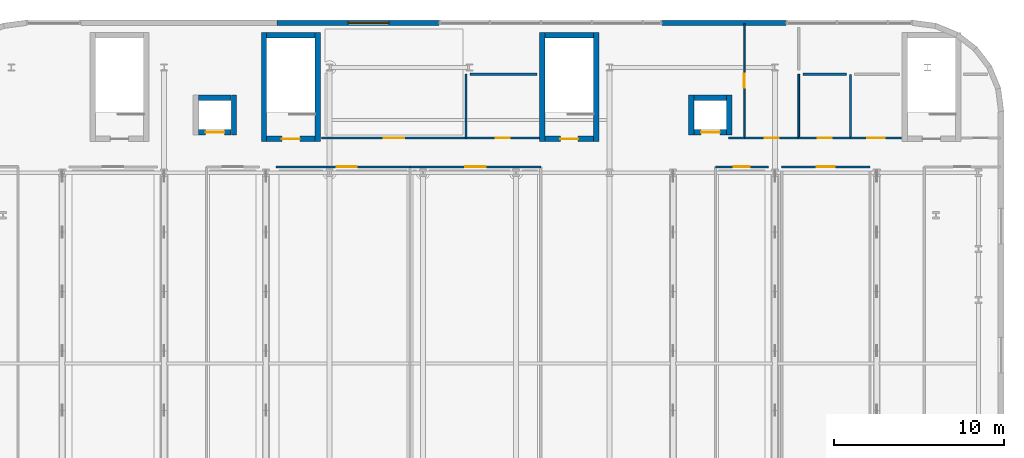
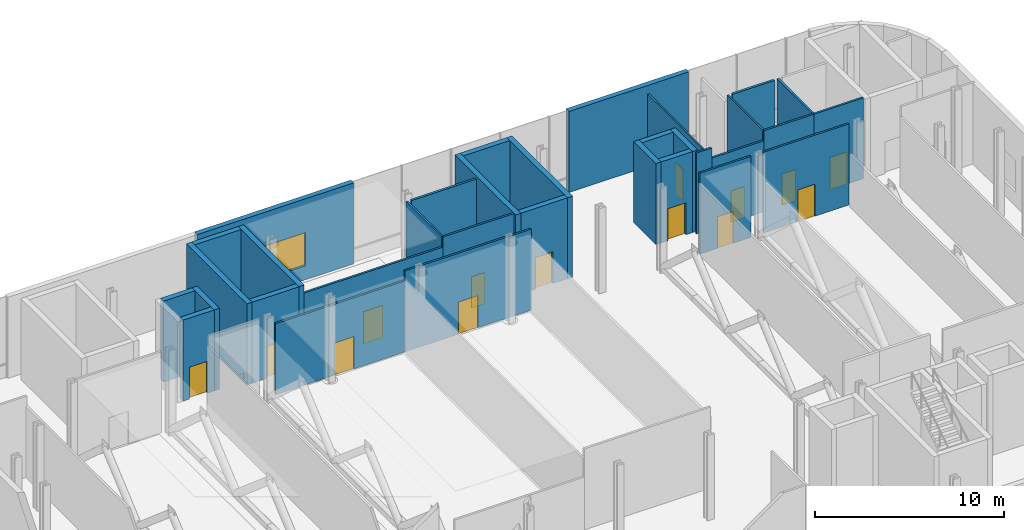
# One storey, part 13 of 17: 33 walls, 14 doors, 1 window, 15 openings.
"""IFC4 building model written with IfcOpenShell, lengths in metres."""

from ifc_helpers import new_model, si_unit, direction, frame, frame_2d, origin, place, context, subcontext, project, spatial, rectangle, extrude, material, layer, layer_set, type_object, element, fill, save


model = new_model("IFC4")

# Units and contexts
model_context = context("Model", 3, precision=1e-05, world=origin(), true_north=direction((0.0, 1.0)))
body_context = subcontext(model_context, "Body", "Model", "MODEL_VIEW")
ifc_project = project(units=[si_unit("LENGTHUNIT", "METRE"), si_unit("AREAUNIT", "SQUARE_METRE"), si_unit("VOLUMEUNIT", "CUBIC_METRE"), si_unit("PLANEANGLEUNIT", "RADIAN"), si_unit("MASSUNIT", "GRAM", prefix="KILO")], contexts=[model_context])

# Site, building, storey
site_placement = place(None, origin())
site = spatial("IfcSite", under=ifc_project, at=site_placement, CompositionType="ELEMENT")
building_placement = place(site_placement, origin())
building = spatial("IfcBuilding", under=site, at=building_placement, Name="Brevholm Reach", CompositionType="ELEMENT")
storey_placement = place(building_placement, frame((0.0, 0.0, 22.5)))
storey = spatial("IfcBuildingStorey", under=building, at=storey_placement, Name="L05", CompositionType="ELEMENT", Elevation=22.5)

# Walls
ifc_material_1 = material(Name="Concrete C60/75", Category="concrete")
ifc_layer_1 = layer(ifc_material_1, 0.320068359375)
ifc_layer_set_1 = layer_set([ifc_layer_1], Name="Concrete C60/75")
wall_type_1 = type_object("IfcWallType", Name="WAL-COR-320", PredefinedType="SHEAR", material=ifc_layer_set_1)
for number, where, z_axis, x_axis, name in (
    (1, (17.889892578125, 32.830078125, 0.0), (0.0, 0.0, 1.0), (0.0, 1.0, 0.0), "L05 Escape Stair ST-S2 Core Wall W"),
    (2, (21.06005859375, 32.830078125, 0.0), (0.0, 0.0, 1.0), (0.0, 1.0, 0.0), "L05 Escape Stair ST-S2 Core Wall E"),
):
    element("IfcWall", number, at=place(storey_placement, frame(where, z_axis=z_axis, x_axis=x_axis)), inside=storey, type_object=wall_type_1, Name=name, PredefinedType="SHEAR", context=body_context, shape_type="SweptSolid", body=[
        extrude(rectangle(XDim=6.419921875, YDim=0.320068359375, at=frame_2d((3.2099609375, 0.0))), origin(), (0.0, 0.0, 1.0), 5.22998046875),
    ])

# Wall, opening, door
wall_1_placement = place(storey_placement, frame((18.050048828125, 32.989990234375, 0.0), z_axis=(0.0, 0.0, 1.0), x_axis=(1.0, 0.0, 0.0)))
wall_1 = element("IfcWall", 3, at=wall_1_placement, inside=storey, type_object=wall_type_1, Name="L05 Escape Stair ST-S2 Core Wall S", PredefinedType="SHEAR", context=body_context, shape_type="SweptSolid", body=[
    extrude(rectangle(XDim=2.849853515625, YDim=0.320068359375, at=frame_2d((1.4248046875, 0.0))), origin(), (0.0, 0.0, 1.0), 5.22998046875),
])
opening_1_placement = place(wall_1_placement, frame((0.89990234375, 0.0, 0.0)))
opening_1 = element("IfcOpeningElement", 4, at=opening_1_placement, cuts=wall_1, Name="Opening SD-ST-S2", PredefinedType="OPENING", context=body_context, shape_type="SweptSolid", body=[
    extrude(rectangle(XDim=1.050048828125, YDim=2.06005859375, at=frame_2d((0.52490234375, 1.030029296875))), frame((0.0, 0.169921875, 0.0), z_axis=(0.0, -1.0, 0.0), x_axis=(1.0, 0.0, 0.0)), (0.0, 0.0, 1.0), 0.340087890625),
])
ifc_material_2 = material(Name="Hardwood-Lipped Steel-Core Fire and Smoke Door", Category="steel")
door_type_1 = type_object("IfcDoorType", Name="DOR-INT-FD60S", OperationType="NOTDEFINED", PredefinedType="DOOR", material=ifc_material_2)
door_1_placement = place(opening_1_placement, origin())
door_1 = element("IfcDoor", 5, at=door_1_placement, inside=storey, type_object=door_type_1, Name="L05 Protected Stair ST-S2 Lobby Door", OperationType="SINGLE_SWING_RIGHT", OverallHeight=2.06005859375, OverallWidth=1.050048828125, PredefinedType="DOOR", context=body_context, shape_type="SweptSolid", body=[
    extrude(rectangle(XDim=1.050048828125, YDim=2.06005859375, at=frame_2d((0.52490234375, 1.030029296875))), frame((0.0, 0.02490234375, 0.0), z_axis=(0.0, -1.0, 0.0), x_axis=(1.0, 0.0, 0.0)), (0.0, 0.0, 1.0), 0.050048828125),
])
fill(opening_1, door_1)

# Walls
wall_2_placement = place(storey_placement, frame((20.89990234375, 39.090087890625, 0.0), z_axis=(0.0, 0.0, 1.0), x_axis=(-1.0, 0.0, 0.0)))
element("IfcWall", 6, at=wall_2_placement, inside=storey, type_object=wall_type_1, Name="L05 Escape Stair ST-S2 Core Wall N", PredefinedType="SHEAR", context=body_context, shape_type="SweptSolid", body=[
    extrude(rectangle(XDim=2.849853515625, YDim=0.320068359375, at=frame_2d((1.4248046875, 0.0))), origin(), (0.0, 0.0, 1.0), 5.22998046875),
])
for number, where, z_axis, x_axis, name in (
    (7, (34.2900390625, 32.830078125, 0.0), (0.0, 0.0, 1.0), (0.0, 1.0, 0.0), "L05 Escape Stair ST-S3 Core Wall W"),
    (8, (37.4599609375, 32.830078125, 0.0), (0.0, 0.0, 1.0), (0.0, 1.0, 0.0), "L05 Escape Stair ST-S3 Core Wall E"),
):
    element("IfcWall", number, at=place(storey_placement, frame(where, z_axis=z_axis, x_axis=x_axis)), inside=storey, type_object=wall_type_1, Name=name, PredefinedType="SHEAR", context=body_context, shape_type="SweptSolid", body=[
        extrude(rectangle(XDim=6.419921875, YDim=0.320068359375, at=frame_2d((3.2099609375, 0.0))), origin(), (0.0, 0.0, 1.0), 5.22998046875),
    ])

# Wall, opening, door
wall_3_placement = place(storey_placement, frame((34.449951171875, 32.989990234375, 0.0), z_axis=(0.0, 0.0, 1.0), x_axis=(1.0, 0.0, 0.0)))
wall_3 = element("IfcWall", 9, at=wall_3_placement, inside=storey, type_object=wall_type_1, Name="L05 Escape Stair ST-S3 Core Wall S", PredefinedType="SHEAR", context=body_context, shape_type="SweptSolid", body=[
    extrude(rectangle(XDim=2.85009765625, YDim=0.320068359375, at=frame_2d((1.425048828125, 0.0))), origin(), (0.0, 0.0, 1.0), 5.22998046875),
])
opening_2_placement = place(wall_3_placement, frame((0.89990234375, 0.0, 0.0)))
opening_2 = element("IfcOpeningElement", 10, at=opening_2_placement, cuts=wall_3, Name="Opening SD-ST-S3", PredefinedType="OPENING", context=body_context, shape_type="SweptSolid", body=[
    extrude(rectangle(XDim=1.050048828125, YDim=2.06005859375, at=frame_2d((0.52490234375, 1.030029296875))), frame((0.0, 0.169921875, 0.0), z_axis=(0.0, -1.0, 0.0), x_axis=(1.0, 0.0, 0.0)), (0.0, 0.0, 1.0), 0.340087890625),
])
door_2_placement = place(opening_2_placement, origin())
door_2 = element("IfcDoor", 11, at=door_2_placement, inside=storey, type_object=door_type_1, Name="L05 Protected Stair ST-S3 Lobby Door", OperationType="SINGLE_SWING_RIGHT", OverallHeight=2.06005859375, OverallWidth=1.050048828125, PredefinedType="DOOR", context=body_context, shape_type="SweptSolid", body=[
    extrude(rectangle(XDim=1.050048828125, YDim=2.06005859375, at=frame_2d((0.52490234375, 1.030029296875))), frame((0.0, 0.02490234375, 0.0), z_axis=(0.0, -1.0, 0.0), x_axis=(1.0, 0.0, 0.0)), (0.0, 0.0, 1.0), 0.050048828125),
])
fill(opening_2, door_2)

# Walls
wall_4_placement = place(storey_placement, frame((37.300048828125, 39.090087890625, 0.0), z_axis=(0.0, 0.0, 1.0), x_axis=(-1.0, 0.0, 0.0)))
element("IfcWall", 12, at=wall_4_placement, inside=storey, type_object=wall_type_1, Name="L05 Escape Stair ST-S3 Core Wall N", PredefinedType="SHEAR", context=body_context, shape_type="SweptSolid", body=[
    extrude(rectangle(XDim=2.85009765625, YDim=0.320068359375, at=frame_2d((1.425048828125, 0.0))), origin(), (0.0, 0.0, 1.0), 5.22998046875),
])
wall_5_placement = place(storey_placement, frame((16.1201171875, 33.219970703125, 0.0), z_axis=(0.0, 0.0, 1.0), x_axis=(0.0, 1.0, 0.0)))
element("IfcWall", 13, at=wall_5_placement, inside=storey, type_object=wall_type_1, Name="L05 Lift SL-1 Shaft Wall E", PredefinedType="SHEAR", context=body_context, shape_type="SweptSolid", body=[
    extrude(rectangle(XDim=2.360107421875, YDim=0.320068359375, at=frame_2d((1.18017578125, 0.0))), origin(), (0.0, 0.0, 1.0), 5.22998046875),
])

# Wall, opening, door
wall_6_placement = place(storey_placement, frame((14.0400390625, 33.3798828125, 0.0), z_axis=(0.0, 0.0, 1.0), x_axis=(1.0, 0.0, 0.0)))
wall_6 = element("IfcWall", 14, at=wall_6_placement, inside=storey, type_object=wall_type_1, Name="L05 Lift SL-1 Shaft Wall S", PredefinedType="SHEAR", context=body_context, shape_type="SweptSolid", body=[
    extrude(rectangle(XDim=1.919921875, YDim=0.320068359375, at=frame_2d((0.9599609375, 0.0))), origin(), (0.0, 0.0, 1.0), 5.22998046875),
])
opening_3_placement = place(wall_6_placement, frame((0.409912109375, 0.0, 0.0)))
opening_3 = element("IfcOpeningElement", 15, at=opening_3_placement, cuts=wall_6, Name="Opening LD-SL-1", PredefinedType="OPENING", context=body_context, shape_type="SweptSolid", body=[
    extrude(rectangle(XDim=1.10009765625, YDim=2.06005859375, at=frame_2d((0.550048828125, 1.030029296875))), frame((0.0, 0.169921875, 0.0), z_axis=(0.0, -1.0, 0.0), x_axis=(1.0, 0.0, 0.0)), (0.0, 0.0, 1.0), 0.340087890625),
])
ifc_material_3 = material(Name="Brushed Stainless Steel Fire-Rated Sliding Lift Door", Category="steel")
door_type_2 = type_object("IfcDoorType", Name="DOR-LFT-1100", OperationType="NOTDEFINED", PredefinedType="DOOR", material=ifc_material_3)
door_3_placement = place(opening_3_placement, origin())
door_3 = element("IfcDoor", 16, at=door_3_placement, inside=storey, type_object=door_type_2, Name="L05 Lift SL-1 Sliding Landing Door", OperationType="SLIDING_TO_LEFT", OverallHeight=2.06005859375, OverallWidth=1.10009765625, PredefinedType="DOOR", context=body_context, shape_type="SweptSolid", body=[
    extrude(rectangle(XDim=1.10009765625, YDim=2.06005859375, at=frame_2d((0.550048828125, 1.030029296875))), frame((0.0, 0.02490234375, 0.0), z_axis=(0.0, -1.0, 0.0), x_axis=(1.0, 0.0, 0.0)), (0.0, 0.0, 1.0), 0.050048828125),
])
fill(opening_3, door_3)

# Walls
wall_7_placement = place(storey_placement, frame((14.0400390625, 35.419921875, 0.0), z_axis=(0.0, 0.0, 1.0), x_axis=(1.0, 0.0, 0.0)))
element("IfcWall", 17, at=wall_7_placement, inside=storey, type_object=wall_type_1, Name="L05 Lift SL-1 Shaft Wall N", PredefinedType="SHEAR", context=body_context, shape_type="SweptSolid", body=[
    extrude(rectangle(XDim=1.919921875, YDim=0.320068359375, at=frame_2d((0.9599609375, 0.0))), origin(), (0.0, 0.0, 1.0), 5.22998046875),
])
for number, where, z_axis, x_axis, name in (
    (18, (43.080078125, 33.219970703125, 0.0), (0.0, 0.0, 1.0), (0.0, 1.0, 0.0), "L05 Lift SL-2 Shaft Wall W"),
    (19, (45.320068359375, 33.219970703125, 0.0), (0.0, 0.0, 1.0), (0.0, 1.0, 0.0), "L05 Lift SL-2 Shaft Wall E"),
):
    element("IfcWall", number, at=place(storey_placement, frame(where, z_axis=z_axis, x_axis=x_axis)), inside=storey, type_object=wall_type_1, Name=name, PredefinedType="SHEAR", context=body_context, shape_type="SweptSolid", body=[
        extrude(rectangle(XDim=2.360107421875, YDim=0.320068359375, at=frame_2d((1.18017578125, 0.0))), origin(), (0.0, 0.0, 1.0), 5.22998046875),
    ])

# Wall, opening, door
wall_8_placement = place(storey_placement, frame((43.239990234375, 33.3798828125, 0.0), z_axis=(0.0, 0.0, 1.0), x_axis=(1.0, 0.0, 0.0)))
wall_8 = element("IfcWall", 20, at=wall_8_placement, inside=storey, type_object=wall_type_1, Name="L05 Lift SL-2 Shaft Wall S", PredefinedType="SHEAR", context=body_context, shape_type="SweptSolid", body=[
    extrude(rectangle(XDim=1.919921875, YDim=0.320068359375, at=frame_2d((0.9599609375, 0.0))), origin(), (0.0, 0.0, 1.0), 5.22998046875),
])
opening_4_placement = place(wall_8_placement, frame((0.409912109375, 0.0, 0.0)))
opening_4 = element("IfcOpeningElement", 21, at=opening_4_placement, cuts=wall_8, Name="Opening LD-SL-2", PredefinedType="OPENING", context=body_context, shape_type="SweptSolid", body=[
    extrude(rectangle(XDim=1.10009765625, YDim=2.06005859375, at=frame_2d((0.550048828125, 1.030029296875))), frame((0.0, 0.169921875, 0.0), z_axis=(0.0, -1.0, 0.0), x_axis=(1.0, 0.0, 0.0)), (0.0, 0.0, 1.0), 0.340087890625),
])
door_4_placement = place(opening_4_placement, origin())
door_4 = element("IfcDoor", 22, at=door_4_placement, inside=storey, type_object=door_type_2, Name="L05 Lift SL-2 Sliding Landing Door", OperationType="SLIDING_TO_RIGHT", OverallHeight=2.06005859375, OverallWidth=1.10009765625, PredefinedType="DOOR", context=body_context, shape_type="SweptSolid", body=[
    extrude(rectangle(XDim=1.10009765625, YDim=2.06005859375, at=frame_2d((0.550048828125, 1.030029296875))), frame((0.0, 0.02490234375, 0.0), z_axis=(0.0, -1.0, 0.0), x_axis=(1.0, 0.0, 0.0)), (0.0, 0.0, 1.0), 0.050048828125),
])
fill(opening_4, door_4)

# Wall
wall_9_placement = place(storey_placement, frame((43.239990234375, 35.419921875, 0.0), z_axis=(0.0, 0.0, 1.0), x_axis=(1.0, 0.0, 0.0)))
element("IfcWall", 23, at=wall_9_placement, inside=storey, type_object=wall_type_1, Name="L05 Lift SL-2 Shaft Wall N", PredefinedType="SHEAR", context=body_context, shape_type="SweptSolid", body=[
    extrude(rectangle(XDim=1.919921875, YDim=0.320068359375, at=frame_2d((0.9599609375, 0.0))), origin(), (0.0, 0.0, 1.0), 5.22998046875),
])

# Wall, opening, window
ifc_material_4 = material(Name="Concrete C40/50", Category="concrete")
ifc_layer_2 = layer(ifc_material_4, 0.300048828125)
ifc_layer_set_2 = layer_set([ifc_layer_2], Name="Concrete C40/50")
wall_type_2 = type_object("IfcWallType", Name="WAL-EXT-300", PredefinedType="STANDARD", material=ifc_layer_set_2)
wall_10_placement = place(storey_placement, frame((18.64990234375, 39.830078125, 0.0), z_axis=(0.0, 0.0, 1.0), x_axis=(1.0, 0.0, 0.0)))
wall_10 = element("IfcWall", 24, at=wall_10_placement, inside=storey, type_object=wall_type_2, Name="L05 Facade Wall WAL-L05-N-ENT", PredefinedType="STANDARD", context=body_context, shape_type="SweptSolid", body=[
    extrude(rectangle(XDim=9.550048828125, YDim=0.300048828125, at=frame_2d((4.77490234375, 0.0))), origin(), (0.0, 0.0, 1.0), 5.22998046875),
])
opening_5_placement = place(wall_10_placement, frame((4.199951171875, 0.0, 0.89990234375)))
opening_5 = element("IfcOpeningElement", 25, at=opening_5_placement, cuts=wall_10, Name="Opening WN-03", PredefinedType="OPENING", context=body_context, shape_type="SweptSolid", body=[
    extrude(rectangle(XDim=2.39990234375, YDim=2.14990234375, at=frame_2d((1.199951171875, 1.074951171875))), frame((0.0, 0.159912109375, 0.0), z_axis=(0.0, -1.0, 0.0), x_axis=(1.0, 0.0, 0.0)), (0.0, 0.0, 1.0), 0.320068359375),
])
ifc_material_5 = material(Name="Dark Anodised Aluminium and Solar-Control IGU Glass", Category="aluminium")
window_type = type_object("IfcWindowType", Name="WIN-SCH-2400", PartitioningType="SINGLE_PANEL", PredefinedType="WINDOW", material=ifc_material_5)
window_placement = place(opening_5_placement, origin())
window = element("IfcWindow", 26, at=window_placement, inside=storey, type_object=window_type, Name="L05 Window WIN-L05-NC-1", OverallHeight=2.14990234375, OverallWidth=2.39990234375, PartitioningType="SINGLE_PANEL", PredefinedType="WINDOW", context=body_context, shape_type="SweptSolid", body=[
    extrude(rectangle(XDim=2.39990234375, YDim=2.14990234375, at=frame_2d((1.199951171875, 1.074951171875))), frame((0.0, 0.030029296875, 0.0), z_axis=(0.0, -1.0, 0.0), x_axis=(1.0, 0.0, 0.0)), (0.0, 0.0, 1.0), 0.06005859375),
])
fill(opening_5, window)

# Walls
wall_11_placement = place(storey_placement, frame((41.35009765625, 39.830078125, 0.0), z_axis=(0.0, 0.0, 1.0), x_axis=(1.0, 0.0, 0.0)))
element("IfcWall", 27, at=wall_11_placement, inside=storey, type_object=wall_type_2, Name="L05 Facade Wall WAL-L05-NPE", PredefinedType="STANDARD", context=body_context, shape_type="SweptSolid", body=[
    extrude(rectangle(XDim=7.2998046875, YDim=0.300048828125, at=frame_2d((3.64990234375, 0.0))), origin(), (0.0, 0.0, 1.0), 5.22998046875),
])
ifc_material_6 = material(Name="Moisture-Resistant Acoustic Gypsum Stud Partition 100 mm", Category="gypsum")
ifc_layer_3 = layer(ifc_material_6, 0.10009765625)
ifc_layer_set_3 = layer_set([ifc_layer_3], Name="Moisture-Resistant Acoustic Gypsum Stud Partition 100 mm")
wall_type_3 = type_object("IfcWallType", Name="WAL-PRT-100", PredefinedType="PARTITIONING", material=ifc_layer_set_3)
wall_12_placement = place(storey_placement, frame((29.800048828125, 33.053955078125, 0.0), z_axis=(0.0, 0.0, 1.0), x_axis=(0.0, 1.0, 0.0)))
element("IfcWall", 28, at=wall_12_placement, inside=storey, type_object=wall_type_3, Name="L05 Internal Partition 028", PredefinedType="PARTITIONING", context=body_context, shape_type="SweptSolid", body=[
    extrude(rectangle(XDim=3.75732421875, YDim=0.10009765625, at=frame_2d((1.878662109375, 0.0))), origin(), (0.0, 0.0, 1.0), 5.22998046875),
])

# Wall, opening, door
wall_13_placement = place(storey_placement, frame((46.199951171875, 33.053955078125, 0.0), z_axis=(0.0, 0.0, 1.0), x_axis=(0.0, 1.0, 0.0)))
wall_13 = element("IfcWall", 29, at=wall_13_placement, inside=storey, type_object=wall_type_3, Name="L05 Internal Partition 029", PredefinedType="PARTITIONING", context=body_context, shape_type="SweptSolid", body=[
    extrude(rectangle(XDim=6.72607421875, YDim=0.10009765625, at=frame_2d((3.363037109375, 0.0))), origin(), (0.0, 0.0, 1.0), 4.66552734375),
])
opening_6_placement = place(wall_13_placement, frame((2.952880859375, 0.0, 0.0)))
opening_6 = element("IfcOpeningElement", 30, at=opening_6_placement, cuts=wall_13, Name="Opening ID-03", PredefinedType="OPENING", context=body_context, shape_type="SweptSolid", body=[
    extrude(rectangle(XDim=0.820068359375, YDim=2.02001953125, at=frame_2d((0.41015625, 1.010009765625))), frame((0.0, 0.06005859375, 0.0), z_axis=(0.0, -1.0, 0.0), x_axis=(1.0, 0.0, 0.0)), (0.0, 0.0, 1.0), 0.1201171875),
])
ifc_material_7 = material(Name="Moisture-Resistant Painted Timber Internal Bathroom Door", Category="wood")
door_type_3 = type_object("IfcDoorType", Name="DOR-BATH-820", OperationType="NOTDEFINED", PredefinedType="DOOR", material=ifc_material_7)
door_5_placement = place(opening_6_placement, origin())
door_5 = element("IfcDoor", 31, at=door_5_placement, inside=storey, type_object=door_type_3, Name="L05 Access Door 021", OperationType="SINGLE_SWING_LEFT", OverallHeight=2.02001953125, OverallWidth=0.820068359375, PredefinedType="DOOR", context=body_context, shape_type="SweptSolid", body=[
    extrude(rectangle(XDim=0.820068359375, YDim=2.02001953125, at=frame_2d((0.41015625, 1.010009765625))), frame((0.0, 0.02490234375, 0.0), z_axis=(0.0, -1.0, 0.0), x_axis=(1.0, 0.0, 0.0)), (0.0, 0.0, 1.0), 0.050048828125),
])
fill(opening_6, door_5)

# Wall
wall_14_placement = place(storey_placement, frame((49.39990234375, 33.053955078125, 0.0), z_axis=(0.0, 0.0, 1.0), x_axis=(0.0, 1.0, 0.0)))
element("IfcWall", 32, at=wall_14_placement, inside=storey, type_object=wall_type_3, Name="L05 Internal Partition 030", PredefinedType="PARTITIONING", context=body_context, shape_type="SweptSolid", body=[
    extrude(rectangle(XDim=3.75732421875, YDim=0.10009765625, at=frame_2d((1.878662109375, 0.0))), origin(), (0.0, 0.0, 1.0), 5.22998046875),
])

# Wall, opening, door
ifc_material_8 = material(Name="Acoustic Fire-Rated Classroom Gypsum Partition 120 mm", Category="gypsum")
ifc_layer_4 = layer(ifc_material_8, 0.1201171875)
ifc_layer_set_4 = layer_set([ifc_layer_4], Name="Acoustic Fire-Rated Classroom Gypsum Partition 120 mm")
wall_type_4 = type_object("IfcWallType", Name="WAL-PRT-120", PredefinedType="PARTITIONING", material=ifc_layer_set_4)
wall_15_placement = place(storey_placement, frame((21.288818359375, 33.050048828125, 0.0), z_axis=(0.0, 0.0, 1.0), x_axis=(1.0, 0.0, 0.0)))
wall_15 = element("IfcWall", 33, at=wall_15_placement, inside=storey, type_object=wall_type_4, Name="L05 Internal Partition 008", PredefinedType="PARTITIONING", context=body_context, shape_type="SweptSolid", body=[
    extrude(rectangle(XDim=8.5224609375, YDim=0.1201171875, at=frame_2d((4.26123046875, 0.0))), origin(), (0.0, 0.0, 1.0), 4.584716796875),
])
opening_7_placement = place(wall_15_placement, frame((3.661376953125, 0.0, 0.0)))
opening_7 = element("IfcOpeningElement", 34, at=opening_7_placement, cuts=wall_15, Name="Opening ID-SC", PredefinedType="OPENING", context=body_context, shape_type="SweptSolid", body=[
    extrude(rectangle(XDim=1.199951171875, YDim=2.080078125, at=frame_2d((0.60009765625, 1.0400390625))), frame((0.0, 0.070068359375, 0.0), z_axis=(0.0, -1.0, 0.0), x_axis=(1.0, 0.0, 0.0)), (0.0, 0.0, 1.0), 0.14013671875),
])
ifc_material_9 = material(Name="Acoustic European Oak Classroom Vision-Panel Fire Door", Category="timber")
door_type_4 = type_object("IfcDoorType", Name="DOR-SCH-1200", OperationType="NOTDEFINED", PredefinedType="DOOR", material=ifc_material_9)
door_6_placement = place(opening_7_placement, origin())
door_6 = element("IfcDoor", 35, at=door_6_placement, inside=storey, type_object=door_type_4, Name="L05 Internal Door 005", OperationType="SINGLE_SWING_LEFT", OverallHeight=2.080078125, OverallWidth=1.199951171875, PredefinedType="DOOR", context=body_context, shape_type="SweptSolid", body=[
    extrude(rectangle(XDim=1.199951171875, YDim=2.080078125, at=frame_2d((0.60009765625, 1.0400390625))), frame((0.0, 0.02490234375, 0.0), z_axis=(0.0, -1.0, 0.0), x_axis=(1.0, 0.0, 0.0)), (0.0, 0.0, 1.0), 0.050048828125),
])
fill(opening_7, door_6)

wall_16_placement = place(storey_placement, frame((29.792724609375, 33.050048828125, 0.0), z_axis=(0.0, 0.0, 1.0), x_axis=(1.0, 0.0, 0.0)))
wall_16 = element("IfcWall", 36, at=wall_16_placement, inside=storey, type_object=wall_type_4, Name="L05 Internal Partition 009", PredefinedType="PARTITIONING", context=body_context, shape_type="SweptSolid", body=[
    extrude(rectangle(XDim=4.327392578125, YDim=0.1201171875, at=frame_2d((2.16357421875, 0.0))), origin(), (0.0, 0.0, 1.0), 5.22998046875),
])
opening_8_placement = place(wall_16_placement, frame((1.753662109375, 0.0, 0.0)))
opening_8 = element("IfcOpeningElement", 37, at=opening_8_placement, cuts=wall_16, Name="Opening ID-02", PredefinedType="OPENING", context=body_context, shape_type="SweptSolid", body=[
    extrude(rectangle(XDim=0.820068359375, YDim=2.02001953125, at=frame_2d((0.41015625, 1.010009765625))), frame((0.0, 0.070068359375, 0.0), z_axis=(0.0, -1.0, 0.0), x_axis=(1.0, 0.0, 0.0)), (0.0, 0.0, 1.0), 0.14013671875),
])
ifc_material_10 = material(Name="Moisture-Resistant Painted Timber Fire-Rated Riser and Service Door", Category="wood")
door_type_5 = type_object("IfcDoorType", Name="DOR-SRV-820", OperationType="NOTDEFINED", PredefinedType="DOOR", material=ifc_material_10)
door_7_placement = place(opening_8_placement, origin())
door_7 = element("IfcDoor", 38, at=door_7_placement, inside=storey, type_object=door_type_5, Name="L05 Internal Door 006", OperationType="SINGLE_SWING_RIGHT", OverallHeight=2.02001953125, OverallWidth=0.820068359375, PredefinedType="DOOR", context=body_context, shape_type="SweptSolid", body=[
    extrude(rectangle(XDim=0.820068359375, YDim=2.02001953125, at=frame_2d((0.41015625, 1.010009765625))), frame((0.0, 0.02490234375, 0.0), z_axis=(0.0, -1.0, 0.0), x_axis=(1.0, 0.0, 0.0)), (0.0, 0.0, 1.0), 0.050048828125),
])
fill(opening_8, door_7)

# Wall
wall_17_placement = place(storey_placement, frame((45.272705078125, 33.050048828125, 0.0), z_axis=(0.0, 0.0, 1.0), x_axis=(1.0, 0.0, 0.0)))
element("IfcWall", 39, at=wall_17_placement, inside=storey, type_object=wall_type_4, Name="L05 Internal Partition 010", PredefinedType="PARTITIONING", context=body_context, shape_type="SweptSolid", body=[
    extrude(rectangle(XDim=0.9384765625, YDim=0.1201171875, at=frame_2d((0.46923828125, 0.0))), origin(), (0.0, 0.0, 1.0), 5.22998046875),
])

# Wall, opening, door
wall_18_placement = place(storey_placement, frame((46.192626953125, 33.050048828125, 0.0), z_axis=(0.0, 0.0, 1.0), x_axis=(1.0, 0.0, 0.0)))
wall_18 = element("IfcWall", 40, at=wall_18_placement, inside=storey, type_object=wall_type_4, Name="L05 Internal Partition 011", PredefinedType="PARTITIONING", context=body_context, shape_type="SweptSolid", body=[
    extrude(rectangle(XDim=3.21875, YDim=0.1201171875, at=frame_2d((1.609375, 0.0))), origin(), (0.0, 0.0, 1.0), 4.584716796875),
])
opening_9_placement = place(wall_18_placement, frame((1.19921875, 0.0, 0.0)))
opening_9 = element("IfcOpeningElement", 41, at=opening_9_placement, cuts=wall_18, Name="Opening ID-02", PredefinedType="OPENING", context=body_context, shape_type="SweptSolid", body=[
    extrude(rectangle(XDim=0.820068359375, YDim=2.02001953125, at=frame_2d((0.41015625, 1.010009765625))), frame((0.0, 0.070068359375, 0.0), z_axis=(0.0, -1.0, 0.0), x_axis=(1.0, 0.0, 0.0)), (0.0, 0.0, 1.0), 0.14013671875),
])
door_8_placement = place(opening_9_placement, origin())
door_8 = element("IfcDoor", 42, at=door_8_placement, inside=storey, type_object=door_type_5, Name="L05 Internal Door 007", OperationType="SINGLE_SWING_LEFT", OverallHeight=2.02001953125, OverallWidth=0.820068359375, PredefinedType="DOOR", context=body_context, shape_type="SweptSolid", body=[
    extrude(rectangle(XDim=0.820068359375, YDim=2.02001953125, at=frame_2d((0.41015625, 1.010009765625))), frame((0.0, 0.02490234375, 0.0), z_axis=(0.0, -1.0, 0.0), x_axis=(1.0, 0.0, 0.0)), (0.0, 0.0, 1.0), 0.050048828125),
])
fill(opening_9, door_8)

wall_19_placement = place(storey_placement, frame((49.392578125, 33.050048828125, 0.0), z_axis=(0.0, 0.0, 1.0), x_axis=(1.0, 0.0, 0.0)))
wall_19 = element("IfcWall", 43, at=wall_19_placement, inside=storey, type_object=wall_type_4, Name="L05 Internal Partition 012", PredefinedType="PARTITIONING", context=body_context, shape_type="SweptSolid", body=[
    extrude(rectangle(XDim=3.068603515625, YDim=0.1201171875, at=frame_2d((1.5341796875, 0.0))), origin(), (0.0, 0.0, 1.0), 5.22998046875),
])
opening_10_placement = place(wall_19_placement, frame((1.124267578125, 0.0, 0.0)))
opening_10 = element("IfcOpeningElement", 44, at=opening_10_placement, cuts=wall_19, Name="Opening ID-02", PredefinedType="OPENING", context=body_context, shape_type="SweptSolid", body=[
    extrude(rectangle(XDim=0.820068359375, YDim=2.02001953125, at=frame_2d((0.41015625, 1.010009765625))), frame((0.0, 0.070068359375, 0.0), z_axis=(0.0, -1.0, 0.0), x_axis=(1.0, 0.0, 0.0)), (0.0, 0.0, 1.0), 0.14013671875),
])
door_9_placement = place(opening_10_placement, origin())
door_9 = element("IfcDoor", 45, at=door_9_placement, inside=storey, type_object=door_type_5, Name="L05 Internal Door 008", OperationType="SINGLE_SWING_RIGHT", OverallHeight=2.02001953125, OverallWidth=0.820068359375, PredefinedType="DOOR", context=body_context, shape_type="SweptSolid", body=[
    extrude(rectangle(XDim=0.820068359375, YDim=2.02001953125, at=frame_2d((0.41015625, 1.010009765625))), frame((0.0, 0.02490234375, 0.0), z_axis=(0.0, -1.0, 0.0), x_axis=(1.0, 0.0, 0.0)), (0.0, 0.0, 1.0), 0.050048828125),
])
fill(opening_10, door_9)

wall_20_placement = place(storey_placement, frame((52.442626953125, 33.050048828125, 0.0), z_axis=(0.0, 0.0, 1.0), x_axis=(1.0, 0.0, 0.0)))
wall_20 = element("IfcWall", 46, at=wall_20_placement, inside=storey, type_object=wall_type_4, Name="L05 Internal Partition 013", PredefinedType="PARTITIONING", context=body_context, shape_type="SweptSolid", body=[
    extrude(rectangle(XDim=3.0185546875, YDim=0.1201171875, at=frame_2d((1.50927734375, 0.0))), origin(), (0.0, 0.0, 1.0), 5.22998046875),
])
opening_11_placement = place(wall_20_placement, frame((0.984375, 0.0, 0.0)))
opening_11 = element("IfcOpeningElement", 47, at=opening_11_placement, cuts=wall_20, Name="Opening FD-01", PredefinedType="OPENING", context=body_context, shape_type="SweptSolid", body=[
    extrude(rectangle(XDim=1.050048828125, YDim=2.06005859375, at=frame_2d((0.52490234375, 1.030029296875))), frame((0.0, 0.070068359375, 0.0), z_axis=(0.0, -1.0, 0.0), x_axis=(1.0, 0.0, 0.0)), (0.0, 0.0, 1.0), 0.14013671875),
])
door_10_placement = place(opening_11_placement, origin())
door_10 = element("IfcDoor", 48, at=door_10_placement, inside=storey, type_object=door_type_1, Name="L05 Internal Door 009", OperationType="SINGLE_SWING_LEFT", OverallHeight=2.06005859375, OverallWidth=1.050048828125, PredefinedType="DOOR", context=body_context, shape_type="SweptSolid", body=[
    extrude(rectangle(XDim=1.050048828125, YDim=2.06005859375, at=frame_2d((0.52490234375, 1.030029296875))), frame((0.0, 0.02490234375, 0.0), z_axis=(0.0, -1.0, 0.0), x_axis=(1.0, 0.0, 0.0)), (0.0, 0.0, 1.0), 0.050048828125),
])
fill(opening_11, door_10)

wall_21_placement = place(storey_placement, frame((44.49267578125, 31.35009765625, 0.0), z_axis=(0.0, 0.0, 1.0), x_axis=(1.0, 0.0, 0.0)))
wall_21 = element("IfcWall", 49, at=wall_21_placement, inside=storey, type_object=wall_type_4, Name="L05 Internal Partition 017", PredefinedType="PARTITIONING", context=body_context, shape_type="SweptSolid", body=[
    extrude(rectangle(XDim=3.11865234375, YDim=0.1201171875, at=frame_2d((1.559326171875, 0.0))), origin(), (0.0, 0.0, 1.0), 5.22998046875),
])
opening_12_placement = place(wall_21_placement, frame((1.084228515625, 0.0, 0.0)))
opening_12 = element("IfcOpeningElement", 50, at=opening_12_placement, cuts=wall_21, Name="Opening ID-30", PredefinedType="OPENING", context=body_context, shape_type="SweptSolid", body=[
    extrude(rectangle(XDim=0.949951171875, YDim=2.050048828125, at=frame_2d((0.47509765625, 1.02490234375))), frame((0.0, 0.070068359375, 0.0), z_axis=(0.0, -1.0, 0.0), x_axis=(1.0, 0.0, 0.0)), (0.0, 0.0, 1.0), 0.14013671875),
])
ifc_material_11 = material(Name="European Oak Veneered Solid-Core Fire Entrance Door", Category="timber")
door_type_6 = type_object("IfcDoorType", Name="DOR-FLT-FD30S", OperationType="NOTDEFINED", PredefinedType="DOOR", material=ifc_material_11)
door_11_placement = place(opening_12_placement, origin())
door_11 = element("IfcDoor", 51, at=door_11_placement, inside=storey, type_object=door_type_6, Name="L05 Internal Door 013", OperationType="SINGLE_SWING_LEFT", OverallHeight=2.050048828125, OverallWidth=0.949951171875, PredefinedType="DOOR", context=body_context, shape_type="SweptSolid", body=[
    extrude(rectangle(XDim=0.949951171875, YDim=2.050048828125, at=frame_2d((0.47509765625, 1.02490234375))), frame((0.0, 0.02490234375, 0.0), z_axis=(0.0, -1.0, 0.0), x_axis=(1.0, 0.0, 0.0)), (0.0, 0.0, 1.0), 0.050048828125),
])
fill(opening_12, door_11)

wall_22_placement = place(storey_placement, frame((48.388671875, 31.35009765625, 0.0), z_axis=(0.0, 0.0, 1.0), x_axis=(1.0, 0.0, 0.0)))
wall_22 = element("IfcWall", 52, at=wall_22_placement, inside=storey, type_object=wall_type_4, Name="L05 Internal Partition 018", PredefinedType="PARTITIONING", context=body_context, shape_type="SweptSolid", body=[
    extrude(rectangle(XDim=5.22265625, YDim=0.1201171875, at=frame_2d((2.611328125, 0.0))), origin(), (0.0, 0.0, 1.0), 5.22998046875),
])
opening_13_placement = place(wall_22_placement, frame((2.086181640625, 0.0, 0.0)))
opening_13 = element("IfcOpeningElement", 53, at=opening_13_placement, cuts=wall_22, Name="Opening FD-01", PredefinedType="OPENING", context=body_context, shape_type="SweptSolid", body=[
    extrude(rectangle(XDim=1.050048828125, YDim=2.06005859375, at=frame_2d((0.52490234375, 1.030029296875))), frame((0.0, 0.070068359375, 0.0), z_axis=(0.0, -1.0, 0.0), x_axis=(1.0, 0.0, 0.0)), (0.0, 0.0, 1.0), 0.14013671875),
])
door_12_placement = place(opening_13_placement, origin())
door_12 = element("IfcDoor", 54, at=door_12_placement, inside=storey, type_object=door_type_1, Name="L05 Internal Door 014", OperationType="SINGLE_SWING_RIGHT", OverallHeight=2.06005859375, OverallWidth=1.050048828125, PredefinedType="DOOR", context=body_context, shape_type="SweptSolid", body=[
    extrude(rectangle(XDim=1.050048828125, YDim=2.06005859375, at=frame_2d((0.52490234375, 1.030029296875))), frame((0.0, 0.02490234375, 0.0), z_axis=(0.0, -1.0, 0.0), x_axis=(1.0, 0.0, 0.0)), (0.0, 0.0, 1.0), 0.050048828125),
])
fill(opening_13, door_12)

wall_23_placement = place(storey_placement, frame((18.588623046875, 31.35009765625, 0.0), z_axis=(0.0, 0.0, 1.0), x_axis=(1.0, 0.0, 0.0)))
wall_23 = element("IfcWall", 55, at=wall_23_placement, inside=storey, type_object=wall_type_4, Name="L05 Internal Partition 020", PredefinedType="PARTITIONING", context=body_context, shape_type="SweptSolid", body=[
    extrude(rectangle(XDim=7.922607421875, YDim=0.1201171875, at=frame_2d((3.96142578125, 0.0))), origin(), (0.0, 0.0, 1.0), 4.584716796875),
])
opening_14_placement = place(wall_23_placement, frame((3.581298828125, 0.0, 0.0)))
opening_14 = element("IfcOpeningElement", 56, at=opening_14_placement, cuts=wall_23, Name="Opening ID-SC", PredefinedType="OPENING", context=body_context, shape_type="SweptSolid", body=[
    extrude(rectangle(XDim=1.199951171875, YDim=2.080078125, at=frame_2d((0.60009765625, 1.0400390625))), frame((0.0, 0.070068359375, 0.0), z_axis=(0.0, -1.0, 0.0), x_axis=(1.0, 0.0, 0.0)), (0.0, 0.0, 1.0), 0.14013671875),
])
door_13_placement = place(opening_14_placement, origin())
door_13 = element("IfcDoor", 57, at=door_13_placement, inside=storey, type_object=door_type_4, Name="L05 Internal Door 016", OperationType="SINGLE_SWING_RIGHT", OverallHeight=2.080078125, OverallWidth=1.199951171875, PredefinedType="DOOR", context=body_context, shape_type="SweptSolid", body=[
    extrude(rectangle(XDim=1.199951171875, YDim=2.080078125, at=frame_2d((0.60009765625, 1.0400390625))), frame((0.0, 0.02490234375, 0.0), z_axis=(0.0, -1.0, 0.0), x_axis=(1.0, 0.0, 0.0)), (0.0, 0.0, 1.0), 0.050048828125),
])
fill(opening_14, door_13)

wall_24_placement = place(storey_placement, frame((26.49267578125, 31.35009765625, 0.0), z_axis=(0.0, 0.0, 1.0), x_axis=(1.0, 0.0, 0.0)))
wall_24 = element("IfcWall", 58, at=wall_24_placement, inside=storey, type_object=wall_type_4, Name="L05 Internal Partition 021", PredefinedType="PARTITIONING", context=body_context, shape_type="SweptSolid", body=[
    extrude(rectangle(XDim=7.714599609375, YDim=0.1201171875, at=frame_2d((3.857421875, 0.0))), origin(), (0.0, 0.0, 1.0), 5.22998046875),
])
opening_15_placement = place(wall_24_placement, frame((3.25732421875, 0.0, 0.0)))
opening_15 = element("IfcOpeningElement", 59, at=opening_15_placement, cuts=wall_24, Name="Opening ID-SC", PredefinedType="OPENING", context=body_context, shape_type="SweptSolid", body=[
    extrude(rectangle(XDim=1.199951171875, YDim=2.080078125, at=frame_2d((0.60009765625, 1.0400390625))), frame((0.0, 0.070068359375, 0.0), z_axis=(0.0, -1.0, 0.0), x_axis=(1.0, 0.0, 0.0)), (0.0, 0.0, 1.0), 0.14013671875),
])
door_14_placement = place(opening_15_placement, origin())
door_14 = element("IfcDoor", 60, at=door_14_placement, inside=storey, type_object=door_type_4, Name="L05 Internal Door 017", OperationType="SINGLE_SWING_LEFT", OverallHeight=2.080078125, OverallWidth=1.199951171875, PredefinedType="DOOR", context=body_context, shape_type="SweptSolid", body=[
    extrude(rectangle(XDim=1.199951171875, YDim=2.080078125, at=frame_2d((0.60009765625, 1.0400390625))), frame((0.0, 0.02490234375, 0.0), z_axis=(0.0, -1.0, 0.0), x_axis=(1.0, 0.0, 0.0)), (0.0, 0.0, 1.0), 0.050048828125),
])
fill(opening_15, door_14)

# Walls
wall_25_placement = place(storey_placement, frame((52.449951171875, 33.053955078125, 0.0), z_axis=(0.0, 0.0, 1.0), x_axis=(0.0, 1.0, 0.0)))
element("IfcWall", 61, at=wall_25_placement, inside=storey, type_object=wall_type_4, Name="L05 Internal Partition 031", PredefinedType="PARTITIONING", context=body_context, shape_type="SweptSolid", body=[
    extrude(rectangle(XDim=3.74609375, YDim=0.1201171875, at=frame_2d((1.873046875, 0.0))), origin(), (0.0, 0.0, 1.0), 5.22998046875),
])
ifc_material_12 = material(Name="Twin-Stud Acoustic Fire-Rated Gypsum Partition 140 mm", Category="gypsum")
ifc_layer_5 = layer(ifc_material_12, 0.139892578125)
ifc_layer_set_5 = layer_set([ifc_layer_5], Name="Twin-Stud Acoustic Fire-Rated Gypsum Partition 140 mm")
wall_type_5 = type_object("IfcWallType", Name="WAL-PRT-140", PredefinedType="PARTITIONING", material=ifc_layer_set_5)
wall_26_placement = place(storey_placement, frame((30.0400390625, 36.800048828125, 0.0), z_axis=(0.0, 0.0, 1.0), x_axis=(1.0, 0.0, 0.0)))
element("IfcWall", 62, at=wall_26_placement, inside=storey, type_object=wall_type_5, Name="L05 Internal Partition 041", PredefinedType="PARTITIONING", context=body_context, shape_type="SweptSolid", body=[
    extrude(rectangle(XDim=3.93994140625, YDim=0.139892578125, at=frame_2d((1.969970703125, 0.0))), origin(), (0.0, 0.0, 1.0), 5.22998046875),
])
wall_27_placement = place(storey_placement, frame((49.639892578125, 36.800048828125, 0.0), z_axis=(0.0, 0.0, 1.0), x_axis=(1.0, 0.0, 0.0)))
element("IfcWall", 63, at=wall_27_placement, inside=storey, type_object=wall_type_5, Name="L05 Internal Partition 043", PredefinedType="PARTITIONING", context=body_context, shape_type="SweptSolid", body=[
    extrude(rectangle(XDim=2.570068359375, YDim=0.139892578125, at=frame_2d((1.28515625, 0.0))), origin(), (0.0, 0.0, 1.0), 5.22998046875),
])

save(model, "model.ifc")
